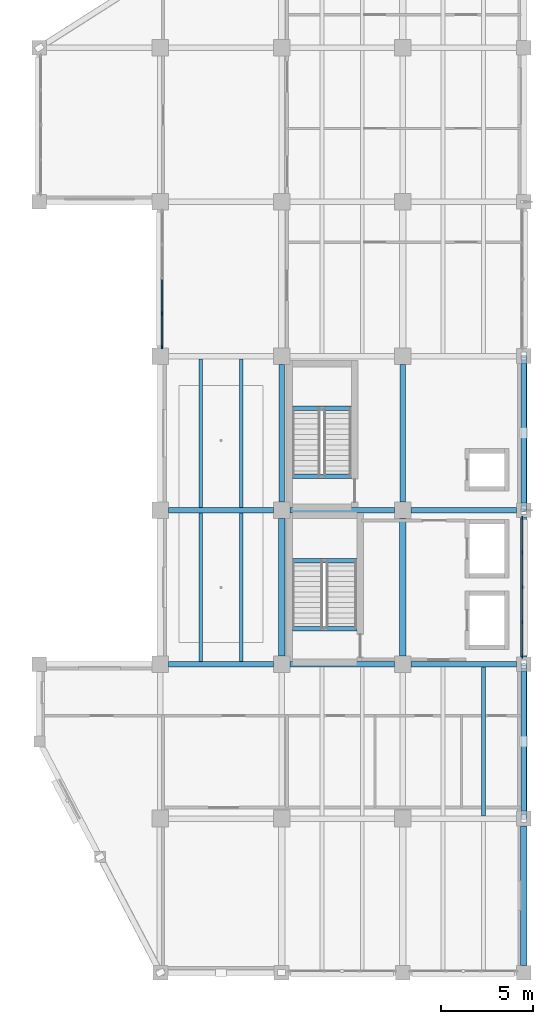
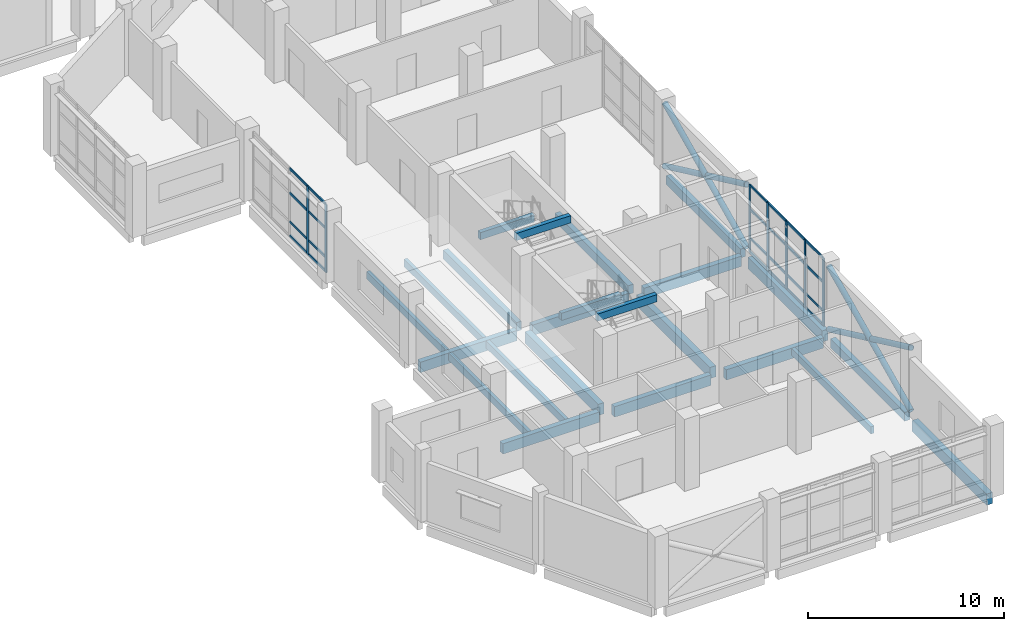
# One storey, part 18 of 76: 37 members, 23 beams, 2 elements without a shape of their own.
"""IFC4 building model written with IfcOpenShell, lengths in metres."""

import ifcopenshell
import ifcopenshell.guid

model = None  # the IFC model being written
_history = None  # IfcOwnerHistory: only IFC2X3 demands one
_inside = {}  # id of a spatial element -> (the spatial element, [elements in it])
_under = {}  # id of a project, library or spatial element -> (it, [spatial elements below it])
_declared = {}  # id of a project -> (the project, [libraries it declares])
_typed = {}  # id of a type object -> (the type object, [elements of that type])
_made_of = {}  # id of a material, layer set ... -> (it, [elements and type objects made of it])


def new_model(schema):
    """Start an empty IFC model of exactly this schema.

    Asked for "IFC4X3", IfcOpenShell would pick the latest addendum, in which some entities
    have other attributes; the version numbers below select the first issue.
    IFC2X3 requires an IfcOwnerHistory on every rooted entity: one is made here for all.
    """
    global model, _history
    if schema == "IFC4X3":
        model = ifcopenshell.file(schema_version=(4, 3, 0, 0))
    else:
        model = ifcopenshell.file(schema=schema)
    _inside.clear()
    _under.clear()
    _declared.clear()
    _typed.clear()
    _made_of.clear()
    _history = None
    if model.schema == "IFC2X3":
        org = make("IfcOrganization", Name="unknown")
        user = make(
            "IfcPersonAndOrganization",
            ThePerson=make("IfcPerson", FamilyName="unknown"),
            TheOrganization=org,
        )
        app = make(
            "IfcApplication",
            ApplicationDeveloper=org,
            Version="unknown",
            ApplicationFullName="unknown",
            ApplicationIdentifier="unknown",
        )
        _history = make(
            "IfcOwnerHistory",
            OwningUser=user,
            OwningApplication=app,
            ChangeAction="ADDED",
            CreationDate=0,
        )
    return model


def make(cls, **values):
    """One entity of the class cls with the attributes given. An attribute that is None is left unset."""
    return model.create_entity(
        cls, **{name: value for name, value in values.items() if value is not None}
    )


def rooted(cls, **values):
    """An entity with a GlobalId (a new one), such as an element, a storey or a relation."""
    return make(cls, GlobalId=ifcopenshell.guid.new(), OwnerHistory=_history, **values)


def si_unit(unit_type, name, prefix=None):
    """IfcSIUnit, for example si_unit("LENGTHUNIT", "METRE", prefix="MILLI")."""
    return make("IfcSIUnit", UnitType=unit_type, Prefix=prefix, Name=name)


def assignment(units):
    """IfcUnitAssignment: the units of a project."""
    return None if units is None else make("IfcUnitAssignment", Units=units)


def point(xyz):
    """IfcCartesianPoint."""
    return None if xyz is None else make("IfcCartesianPoint", Coordinates=xyz)


def direction(xyz):
    """IfcDirection."""
    return None if xyz is None else make("IfcDirection", DirectionRatios=xyz)


def frame(location, z_axis=None, x_axis=None):
    """IfcAxis2Placement3D, a coordinate frame: its origin and axes. An axis left out is left unset."""
    return make(
        "IfcAxis2Placement3D",
        Location=point(location),
        Axis=direction(z_axis),
        RefDirection=direction(x_axis),
    )


def frame_2d(location, x_axis=None):
    """IfcAxis2Placement2D, a coordinate frame in the plane: its origin and x axis."""
    return make(
        "IfcAxis2Placement2D", Location=point(location), RefDirection=direction(x_axis)
    )


def origin():
    """The frame at (0, 0, 0) with its axes left unset."""
    return frame((0.0, 0.0, 0.0))


def origin_2d():
    """The frame at (0, 0) in the plane with its x axis left unset."""
    return frame_2d((0.0, 0.0))


def place(relative_to, where):
    """IfcLocalPlacement: puts the frame where relative to a parent placement (None: the world)."""
    return make(
        "IfcLocalPlacement", PlacementRelTo=relative_to, RelativePlacement=where
    )


def context(
    kind, dimensions, precision=None, world=None, true_north=None, identifier=None
):
    """IfcGeometricRepresentationContext, for example the 3D "Model" context."""
    return make(
        "IfcGeometricRepresentationContext",
        ContextIdentifier=identifier,
        ContextType=kind,
        CoordinateSpaceDimension=dimensions,
        Precision=precision,
        WorldCoordinateSystem=world,
        TrueNorth=true_north,
    )


def subcontext(parent, identifier, kind, view, scale=None):
    """IfcGeometricRepresentationSubContext, for example "Body" below "Model"."""
    return make(
        "IfcGeometricRepresentationSubContext",
        ContextIdentifier=identifier,
        ContextType=kind,
        ParentContext=parent,
        TargetScale=scale,
        TargetView=view,
    )


def project(units=None, contexts=None):
    """IfcProject with its units and contexts."""
    return rooted(
        "IfcProject",
        Name="project",
        RepresentationContexts=contexts,
        UnitsInContext=assignment(units),
    )


def spatial(cls, under=None, at=None, **own):
    """A site, building, storey or space (cls), placed at a placement, below another one or the project."""
    s = rooted(cls, ObjectPlacement=at, **own)
    if under is not None:
        _under.setdefault(under.id(), (under, []))[1].append(s)
    return s


def profile(cls, at=None, kind="AREA", **sizes):
    """A parametric profile (cls). Its sizes go by their IFC names, for example OverallWidth=200.0."""
    return make(cls, ProfileType=kind, Position=at, **sizes)


def rectangle(**sizes):
    """IfcRectangleProfileDef."""
    return profile("IfcRectangleProfileDef", **sizes)


def hollow_circle(**sizes):
    """IfcCircleHollowProfileDef."""
    return profile("IfcCircleHollowProfileDef", **sizes)


def extrude(swept, where, along, depth):
    """IfcExtrudedAreaSolid: the profile swept, set in the frame where, extruded along a direction by depth."""
    return make(
        "IfcExtrudedAreaSolid",
        SweptArea=swept,
        Position=where,
        ExtrudedDirection=direction(along),
        Depth=depth,
    )


def shape(context_of_items, identifier, shape_type, items):
    """IfcShapeRepresentation: the items that make up one representation, for example the "Body"."""
    return make(
        "IfcShapeRepresentation",
        ContextOfItems=context_of_items,
        RepresentationIdentifier=identifier,
        RepresentationType=shape_type,
        Items=items,
    )


def material(Name=None, Category=None):
    """IfcMaterial."""
    return make("IfcMaterial", Name=Name, Category=Category)


def material_profile(
    of_material, cross_section, Name=None, Category=None, Priority=None
):
    """IfcMaterialProfile: a cross section and its material."""
    return make(
        "IfcMaterialProfile",
        Name=Name,
        Material=of_material,
        Profile=cross_section,
        Priority=Priority,
        Category=Category,
    )


def profile_set(profiles, Name=None, composite=None):
    """IfcMaterialProfileSet."""
    return make(
        "IfcMaterialProfileSet",
        Name=Name,
        MaterialProfiles=profiles,
        CompositeProfile=composite,
    )


def made_of(thing, what):
    """Note that an element or type object is made of a material, layer set ...; save() writes the relation."""
    if what is not None:
        _made_of.setdefault(what.id(), (what, []))[1].append(thing)
    return thing


def type_object(cls, material=None, **own):
    """A type object (cls), such as IfcWallType, which elements share."""
    return made_of(rooted(cls, **own), material)


def element(
    cls,
    number,
    at=None,
    inside=None,
    cuts=None,
    type_object=None,
    material=None,
    context=None,
    identifier="Body",
    shape_type=None,
    held_by="IfcProductDefinitionShape",
    body=None,
    shapes=None,
    **own,
):
    """One element of the class cls, such as IfcWall. Its Tag is "e" and its number.

    at: its placement. inside: the storey or other place that contains it. cuts: it is an
    opening in that element (IfcRelVoidsElement). A single representation is given by context,
    identifier, shape_type and body (its items); several are given by shapes. held_by: the class
    of the entity that holds the representations. save() writes the other relations.
    """
    e = rooted(cls, Tag="e%d" % number, ObjectPlacement=at, **own)
    if body is not None:
        shapes = [shape(context, identifier, shape_type, body)]
    if shapes is not None:
        e.Representation = make(held_by, Representations=shapes)
    if inside is not None:
        _inside.setdefault(inside.id(), (inside, []))[1].append(e)
    if cuts is not None:
        rooted(
            "IfcRelVoidsElement", RelatingBuildingElement=cuts, RelatedOpeningElement=e
        )
    if type_object is not None:
        _typed.setdefault(type_object.id(), (type_object, []))[1].append(e)
    return made_of(e, material)


def aggregate(whole, parts):
    """IfcRelAggregates: a whole, such as a stair, and the parts it consists of."""
    return rooted("IfcRelAggregates", RelatingObject=whole, RelatedObjects=parts)


def save(model, path):
    """Write the relations noted so far, then the file.

    IfcRelAggregates (storeys below a building ...), IfcRelContainedInSpatialStructure (elements
    in a storey), IfcRelDefinesByType, IfcRelAssociatesMaterial and IfcRelDeclares: one each for
    every whole, place, type object, material and project.
    """
    for whole, parts in _under.values():
        aggregate(whole, parts)
    for where, things in _inside.values():
        rooted(
            "IfcRelContainedInSpatialStructure",
            RelatedElements=things,
            RelatingStructure=where,
        )
    for kind, things in _typed.values():
        rooted("IfcRelDefinesByType", RelatedObjects=things, RelatingType=kind)
    for what, things in _made_of.values():
        rooted("IfcRelAssociatesMaterial", RelatedObjects=things, RelatingMaterial=what)
    for by, libraries in _declared.values():
        rooted("IfcRelDeclares", RelatingContext=by, RelatedDefinitions=libraries)
    model.write(path)


model = new_model("IFC4")

# Units and contexts
model_context = context("Model", 3, precision=1e-05, world=origin(), true_north=direction((0.0, 1.0)))
body_context = subcontext(model_context, "Body", "Model", "MODEL_VIEW")
ifc_project = project(units=[si_unit("LENGTHUNIT", "METRE"), si_unit("AREAUNIT", "SQUARE_METRE"), si_unit("VOLUMEUNIT", "CUBIC_METRE"), si_unit("PLANEANGLEUNIT", "RADIAN"), si_unit("MASSUNIT", "GRAM", prefix="KILO")], contexts=[model_context])

# Site, building, storey
site_placement = place(None, origin())
site = spatial("IfcSite", under=ifc_project, at=site_placement, CompositionType="ELEMENT")
building_placement = place(site_placement, origin())
building = spatial("IfcBuilding", under=site, at=building_placement, Name="Qaldarim Faculty of Natural and Applied Sciences", CompositionType="ELEMENT")
storey_placement = place(building_placement, frame((0.0, 0.0, 9.89990234375)))
storey = spatial("IfcBuildingStorey", under=building, at=storey_placement, Name="L02", CompositionType="ELEMENT", Elevation=9.89990234375)

# Beams
ifc_material_1 = material(Name="Concrete C40/50", Category="concrete")
ifc_material_profile_1 = material_profile(ifc_material_1, rectangle(XDim=0.300048828125, YDim=0.550048828125, at=origin_2d()), Name="RC-B300x550")
ifc_profile_set_1 = profile_set([ifc_material_profile_1], Name="Concrete C40/50")
beam_type_1 = type_object("IfcBeamType", Name="FloorBeam-RC300x550", PredefinedType="BEAM", material=ifc_profile_set_1)
for number, where, z_axis, x_axis, name in (
    (1, (165.0, 25.64990234375, -0.574951171875), (0.0, 1.0, 0.0), (-1.0, 0.0, 0.0), "Beam RC-B300x550 L01 X26/Y04-Y05"),
    (2, (171.60009765625, 25.64990234375, -0.574951171875), (0.0, 1.0, 0.0), (-1.0, 0.0, 0.0), "Beam RC-B300x550 L01 X27/Y04-Y05"),
):
    element("IfcBeam", number, at=place(storey_placement, frame(where, z_axis=z_axis, x_axis=x_axis)), inside=storey, type_object=beam_type_1, Name=name, PredefinedType="BEAM", context=body_context, shape_type="SweptSolid", body=[
        extrude(rectangle(XDim=0.300048828125, YDim=0.550048828125, at=origin_2d()), origin(), (0.0, 0.0, 1.0), 7.5),
    ])
for number, where, z_axis, x_axis, name in (
    (3, (178.199951171875, 8.800048828125, -0.574951171875), (0.0, 1.0, 0.0), (-1.0, 0.0, 0.0), "Beam RC-B300x550 L01 X28/Y02-Y03"),
    (4, (178.199951171875, 25.60009765625, -0.574951171875), (0.0, 1.0, 0.0), (-1.0, 0.0, 0.0), "Beam RC-B300x550 L01 X28/Y04-Y05"),
):
    element("IfcBeam", number, at=place(storey_placement, frame(where, z_axis=z_axis, x_axis=x_axis)), inside=storey, type_object=beam_type_1, Name=name, PredefinedType="BEAM", context=body_context, shape_type="SweptSolid", body=[
        extrude(rectangle(XDim=0.300048828125, YDim=0.550048828125, at=origin_2d()), origin(), (0.0, 0.0, 1.0), 7.599853515625),
    ])
ifc_material_profile_2 = material_profile(ifc_material_1, rectangle(XDim=0.199951171875, YDim=0.449951171875, at=origin_2d()), Name="RC-J200x450")
ifc_profile_set_2 = profile_set([ifc_material_profile_2], Name="Concrete C40/50")
beam_type_2 = type_object("IfcBeamType", Name="LabJoist-RC200x450", PredefinedType="JOIST", material=ifc_profile_set_2)
for number, where, z_axis, x_axis, name in (
    (5, (160.60009765625, 16.949951171875, -0.52490234375), (0.0, 1.0, 0.0), (-1.0, 0.0, 0.0), "Laboratory joist L01 bay X25Y03-1"),
    (6, (162.800048828125, 16.949951171875, -0.52490234375), (0.0, 1.0, 0.0), (-1.0, 0.0, 0.0), "Laboratory joist L01 bay X25Y03-2"),
):
    element("IfcBeam", number, at=place(storey_placement, frame(where, z_axis=z_axis, x_axis=x_axis)), inside=storey, type_object=beam_type_2, Name=name, PredefinedType="JOIST", context=body_context, shape_type="SweptSolid", body=[
        extrude(rectangle(XDim=0.199951171875, YDim=0.449951171875, at=origin_2d()), origin(), (0.0, 0.0, 1.0), 8.10009765625),
    ])
for number, where, z_axis, x_axis, name in (
    (7, (160.60009765625, 25.35009765625, -0.52490234375), (0.0, 1.0, 0.0), (-1.0, 0.0, 0.0), "Laboratory joist L01 bay X25Y04-1"),
    (8, (162.800048828125, 25.35009765625, -0.52490234375), (0.0, 1.0, 0.0), (-1.0, 0.0, 0.0), "Laboratory joist L01 bay X25Y04-2"),
    (9, (176.0, 8.550048828125, -0.52490234375), (0.0, 1.0, 0.0), (-1.0, 0.0, 0.0), "Laboratory joist L01 bay X27Y02-2"),
):
    element("IfcBeam", number, at=place(storey_placement, frame(where, z_axis=z_axis, x_axis=x_axis)), inside=storey, type_object=beam_type_2, Name=name, PredefinedType="JOIST", context=body_context, shape_type="SweptSolid", body=[
        extrude(rectangle(XDim=0.199951171875, YDim=0.449951171875, at=origin_2d()), origin(), (0.0, 0.0, 1.0), 8.099853515625),
    ])
ifc_material_profile_3 = material_profile(ifc_material_1, rectangle(XDim=0.25, YDim=0.449951171875, at=origin_2d()), Name="RC-LN250x450")
ifc_profile_set_3 = profile_set([ifc_material_profile_3], Name="Concrete C40/50")
beam_type_3 = type_object("IfcBeamType", Name="LandingSupportBeam-RC250x450", PredefinedType="BEAM", material=ifc_profile_set_3)
for number, where, z_axis, x_axis, name in (
    (10, (165.60009765625, 22.455078125, 1.815185546875), (1.0, 0.0, 0.0), (0.0, 1.0, 0.0), "Stair landing support beam ST-A1 L02"),
    (11, (165.60009765625, 18.75, 4.01513671875), (1.0, 0.0, 0.0), (0.0, 1.0, 0.0), "Stair arrival support beam ST-A1 L02"),
):
    element("IfcBeam", number, at=place(storey_placement, frame(where, z_axis=z_axis, x_axis=x_axis)), inside=storey, type_object=beam_type_3, Name=name, PredefinedType="BEAM", context=body_context, shape_type="SweptSolid", body=[
        extrude(rectangle(XDim=0.25, YDim=0.449951171875, at=origin_2d()), origin(), (0.0, 0.0, 1.0), 3.5),
    ])
for number, where, z_axis, x_axis, name in (
    (12, (165.60009765625, 30.7548828125, 1.815185546875), (1.0, 0.0, 0.0), (0.0, 1.0, 0.0), "Stair landing support beam ST-A2 L02"),
    (13, (165.60009765625, 27.050048828125, 4.01513671875), (1.0, 0.0, 0.0), (0.0, 1.0, 0.0), "Stair arrival support beam ST-A2 L02"),
):
    element("IfcBeam", number, at=place(storey_placement, frame(where, z_axis=z_axis, x_axis=x_axis)), inside=storey, type_object=beam_type_3, Name=name, PredefinedType="BEAM", context=body_context, shape_type="SweptSolid", body=[
        extrude(rectangle(XDim=0.25, YDim=0.449951171875, at=origin_2d()), origin(), (0.0, 0.0, 1.0), 3.199951171875),
    ])

# Members
ifc_material_2 = material(Name="Structural steel S355", Category="steel")
ifc_material_profile_4 = material_profile(ifc_material_2, hollow_circle(Radius=0.161865234375, WallThickness=0.02001953125, at=origin_2d()), Name="CHS 323.9x20.0")
ifc_profile_set_4 = profile_set([ifc_material_profile_4], Name="Structural steel S355")
member_type_1 = type_object("IfcMemberType", Name="LowerWingBrace-CHS323-9x20", PredefinedType="BRACE", material=ifc_profile_set_4)
member_1_placement = place(storey_placement, frame((178.199951171875, 8.39990234375, 0.0), z_axis=(0.0, 0.905350515517, 0.424665096345), x_axis=(-1.0, 0.0, 0.0)))
element("IfcMember", 14, at=member_1_placement, inside=storey, type_object=member_type_1, Name="East diagrid L02 primary brace L", PredefinedType="BRACE", context=body_context, shape_type="SweptSolid", body=[
    extrude(hollow_circle(Radius=0.161865234375, WallThickness=0.02001953125, at=origin_2d()), origin(), (0.0, 0.0, 1.0), 9.2783203125),
])
for number, where, z_axis, x_axis, name in (
    (15, (178.199951171875, 16.800048828125, 0.0), (0.0, -0.905458935959, 0.424433876231), (1.0, 0.0, 0.0), "East diagrid L02 split secondary lower brace R1"),
    (16, (178.199951171875, 12.39990234375, 2.065185546875), (0.0, -0.905458935959, 0.424433876231), (1.0, 0.0, 0.0), "East diagrid L02 split secondary upper brace R2"),
):
    element("IfcMember", number, at=place(storey_placement, frame(where, z_axis=z_axis, x_axis=x_axis)), inside=storey, type_object=member_type_1, Name=name, PredefinedType="BRACE", context=body_context, shape_type="SweptSolid", body=[
        extrude(hollow_circle(Radius=0.161865234375, WallThickness=0.02001953125, at=origin_2d()), origin(), (0.0, 0.0, 1.0), 4.417724609375),
    ])
member_2_placement = place(storey_placement, frame((178.199951171875, 25.199951171875, 0.0), z_axis=(0.0, 0.905350515517, 0.424665096345), x_axis=(-1.0, 0.0, 0.0)))
element("IfcMember", 17, at=member_2_placement, inside=storey, type_object=member_type_1, Name="Upper east diagrid L02 primary brace L", PredefinedType="BRACE", context=body_context, shape_type="SweptSolid", body=[
    extrude(hollow_circle(Radius=0.161865234375, WallThickness=0.02001953125, at=origin_2d()), origin(), (0.0, 0.0, 1.0), 9.2783203125),
])
for number, where, z_axis, x_axis, name in (
    (18, (178.199951171875, 33.60009765625, 0.0), (0.0, -0.905458935959, 0.424433876231), (1.0, 0.0, 0.0), "Upper east diagrid L02 split secondary lower brace R1"),
    (19, (178.199951171875, 29.199951171875, 2.065185546875), (0.0, -0.905458935959, 0.424433876231), (1.0, 0.0, 0.0), "Upper east diagrid L02 split secondary upper brace R2"),
):
    element("IfcMember", number, at=place(storey_placement, frame(where, z_axis=z_axis, x_axis=x_axis)), inside=storey, type_object=member_type_1, Name=name, PredefinedType="BRACE", context=body_context, shape_type="SweptSolid", body=[
        extrude(hollow_circle(Radius=0.161865234375, WallThickness=0.02001953125, at=origin_2d()), origin(), (0.0, 0.0, 1.0), 4.417724609375),
    ])

# Curtain wall, members
ifc_material_3 = material(Name="Anodised aluminium AW-6063", Category="aluminium")
curtain_wall_type = type_object("IfcCurtainWallType", Name="CurtainWallSystem-M1700", PredefinedType="USERDEFINED", material=ifc_material_3)
curtain_wall_1_placement = place(storey_placement, origin())
curtain_wall_1 = element("IfcCurtainWall", 20, at=curtain_wall_1_placement, inside=storey, type_object=curtain_wall_type, Name="Curtain wall CW-L02-W-X25Y05", ObjectType="UNITISED FACADE", PredefinedType="USERDEFINED")
ifc_material_profile_5 = material_profile(ifc_material_3, rectangle(XDim=0.070068359375, YDim=0.179931640625, at=origin_2d()), Name="ALU-M70x180")
ifc_profile_set_5 = profile_set([ifc_material_profile_5], Name="Anodised aluminium AW-6063")
member_type_2 = type_object("IfcMemberType", Name="Mullion-ALU70x180", PredefinedType="MULLION", material=ifc_profile_set_5)
member_3_placement = place(storey_placement, frame((158.47998046875, 35.922607421875, 0.0), z_axis=(0.0, 0.0, 1.0), x_axis=(1.0, 0.0, 0.0)))
member_3 = element("IfcMember", 21, at=member_3_placement, type_object=member_type_2, Name="Mullion 4 of CW-L02-W-X25Y05", PredefinedType="MULLION", context=body_context, shape_type="SweptSolid", body=[
    extrude(rectangle(XDim=0.070068359375, YDim=0.179931640625, at=origin_2d()), origin(), (0.0, 0.0, 1.0), 4.239990234375),
])
member_4_placement = place(storey_placement, frame((158.47998046875, 34.080078125, 0.0), z_axis=(0.0, 0.0, 1.0), x_axis=(1.0, 0.0, 0.0)))
member_4 = element("IfcMember", 22, at=member_4_placement, type_object=member_type_2, Name="Mullion 5 of CW-L02-W-X25Y05", PredefinedType="MULLION", context=body_context, shape_type="SweptSolid", body=[
    extrude(rectangle(XDim=0.070068359375, YDim=0.179931640625, at=origin_2d()), origin(), (0.0, 0.0, 1.0), 4.239990234375),
])

curtain_wall_2_placement = place(storey_placement, origin())
curtain_wall_2 = element("IfcCurtainWall", 23, at=curtain_wall_2_placement, inside=storey, type_object=curtain_wall_type, Name="Curtain wall CW-L02-E-X27Y03", ObjectType="UNITISED FACADE", PredefinedType="USERDEFINED")
member_5_placement = place(storey_placement, frame((178.1201171875, 17.22998046875, 0.0), z_axis=(0.0, 0.0, 1.0), x_axis=(-1.0, 0.0, 0.0)))
member_5 = element("IfcMember", 24, at=member_5_placement, type_object=member_type_2, Name="Mullion 1 of CW-L02-E-X27Y03", PredefinedType="MULLION", context=body_context, shape_type="SweptSolid", body=[
    extrude(rectangle(XDim=0.070068359375, YDim=0.179931640625, at=origin_2d()), origin(), (0.0, 0.0, 1.0), 4.239990234375),
])
member_6_placement = place(storey_placement, frame((178.1201171875, 19.097412109375, 0.0), z_axis=(0.0, 0.0, 1.0), x_axis=(-1.0, 0.0, 0.0)))
member_6 = element("IfcMember", 25, at=member_6_placement, type_object=member_type_2, Name="Mullion 2 of CW-L02-E-X27Y03", PredefinedType="MULLION", context=body_context, shape_type="SweptSolid", body=[
    extrude(rectangle(XDim=0.070068359375, YDim=0.179931640625, at=origin_2d()), origin(), (0.0, 0.0, 1.0), 4.239990234375),
])
member_7_placement = place(storey_placement, frame((178.1201171875, 21.0, 0.0), z_axis=(0.0, 0.0, 1.0), x_axis=(-1.0, 0.0, 0.0)))
member_7 = element("IfcMember", 26, at=member_7_placement, type_object=member_type_2, Name="Mullion 3 of CW-L02-E-X27Y03", PredefinedType="MULLION", context=body_context, shape_type="SweptSolid", body=[
    extrude(rectangle(XDim=0.070068359375, YDim=0.179931640625, at=origin_2d()), origin(), (0.0, 0.0, 1.0), 4.239990234375),
])
member_8_placement = place(storey_placement, frame((178.1201171875, 22.902587890625, 0.0), z_axis=(0.0, 0.0, 1.0), x_axis=(-1.0, 0.0, 0.0)))
member_8 = element("IfcMember", 27, at=member_8_placement, type_object=member_type_2, Name="Mullion 4 of CW-L02-E-X27Y03", PredefinedType="MULLION", context=body_context, shape_type="SweptSolid", body=[
    extrude(rectangle(XDim=0.070068359375, YDim=0.179931640625, at=origin_2d()), origin(), (0.0, 0.0, 1.0), 4.239990234375),
])
member_9_placement = place(storey_placement, frame((178.1201171875, 24.77001953125, 0.0), z_axis=(0.0, 0.0, 1.0), x_axis=(-1.0, 0.0, 0.0)))
member_9 = element("IfcMember", 28, at=member_9_placement, type_object=member_type_2, Name="Mullion 5 of CW-L02-E-X27Y03", PredefinedType="MULLION", context=body_context, shape_type="SweptSolid", body=[
    extrude(rectangle(XDim=0.070068359375, YDim=0.179931640625, at=origin_2d()), origin(), (0.0, 0.0, 1.0), 4.239990234375),
])

# Beams
ifc_material_profile_6 = material_profile(ifc_material_1, rectangle(XDim=0.300048828125, YDim=0.64990234375, at=origin_2d()), Name="RC-B300x650")
ifc_profile_set_6 = profile_set([ifc_material_profile_6], Name="Concrete C40/50")
beam_type_4 = type_object("IfcBeamType", Name="PrimaryBeam-RC300x650", PredefinedType="BEAM", material=ifc_profile_set_6)
for number, where, z_axis, x_axis, name in (
    (29, (158.85009765625, 16.800048828125, -0.625), (1.0, 0.0, 0.0), (0.0, 1.0, 0.0), "Beam RC-B300x650 L01 X25-X26/Y03"),
    (30, (165.449951171875, 16.800048828125, -0.625), (1.0, 0.0, 0.0), (0.0, 1.0, 0.0), "Beam RC-B300x650 L01 X26-X27/Y03"),
):
    element("IfcBeam", number, at=place(storey_placement, frame(where, z_axis=z_axis, x_axis=x_axis)), inside=storey, type_object=beam_type_4, Name=name, PredefinedType="BEAM", context=body_context, shape_type="SweptSolid", body=[
        extrude(rectangle(XDim=0.300048828125, YDim=0.64990234375, at=origin_2d()), origin(), (0.0, 0.0, 1.0), 5.699951171875),
    ])
beam_1_placement = place(storey_placement, frame((172.050048828125, 16.800048828125, -0.625), z_axis=(1.0, 0.0, 0.0), x_axis=(0.0, 1.0, 0.0)))
element("IfcBeam", 31, at=beam_1_placement, inside=storey, type_object=beam_type_4, Name="Beam RC-B300x650 L01 X27-X28/Y03", PredefinedType="BEAM", context=body_context, shape_type="SweptSolid", body=[
    extrude(rectangle(XDim=0.300048828125, YDim=0.64990234375, at=origin_2d()), origin(), (0.0, 0.0, 1.0), 5.75),
])
for number, where, z_axis, x_axis, name in (
    (32, (158.85009765625, 25.199951171875, -0.625), (1.0, 0.0, 0.0), (0.0, 1.0, 0.0), "Beam RC-B300x650 L01 X25-X26/Y04"),
    (33, (165.449951171875, 25.199951171875, -0.625), (1.0, 0.0, 0.0), (0.0, 1.0, 0.0), "Beam RC-B300x650 L01 X26-X27/Y04"),
):
    element("IfcBeam", number, at=place(storey_placement, frame(where, z_axis=z_axis, x_axis=x_axis)), inside=storey, type_object=beam_type_4, Name=name, PredefinedType="BEAM", context=body_context, shape_type="SweptSolid", body=[
        extrude(rectangle(XDim=0.300048828125, YDim=0.64990234375, at=origin_2d()), origin(), (0.0, 0.0, 1.0), 5.699951171875),
    ])
beam_2_placement = place(storey_placement, frame((172.050048828125, 25.199951171875, -0.625), z_axis=(1.0, 0.0, 0.0), x_axis=(0.0, 1.0, 0.0)))
element("IfcBeam", 34, at=beam_2_placement, inside=storey, type_object=beam_type_4, Name="Beam RC-B300x650 L01 X27-X28/Y04", PredefinedType="BEAM", context=body_context, shape_type="SweptSolid", body=[
    extrude(rectangle(XDim=0.300048828125, YDim=0.64990234375, at=origin_2d()), origin(), (0.0, 0.0, 1.0), 5.75),
])
ifc_material_profile_7 = material_profile(ifc_material_1, rectangle(XDim=0.35009765625, YDim=0.699951171875, at=origin_2d()), Name="RC-B350x700")
ifc_profile_set_7 = profile_set([ifc_material_profile_7], Name="Concrete C40/50")
beam_type_5 = type_object("IfcBeamType", Name="PrimaryGirder-RC350x700", PredefinedType="BEAM", material=ifc_profile_set_7)
for number, where, z_axis, x_axis, name in (
    (35, (165.0, 17.25, -0.64990234375), (0.0, 1.0, 0.0), (-1.0, 0.0, 0.0), "Beam RC-B350x700 L01 X26/Y03-Y04"),
    (36, (171.60009765625, 17.25, -0.64990234375), (0.0, 1.0, 0.0), (-1.0, 0.0, 0.0), "Beam RC-B350x700 L01 X27/Y03-Y04"),
):
    element("IfcBeam", number, at=place(storey_placement, frame(where, z_axis=z_axis, x_axis=x_axis)), inside=storey, type_object=beam_type_5, Name=name, PredefinedType="BEAM", context=body_context, shape_type="SweptSolid", body=[
        extrude(rectangle(XDim=0.35009765625, YDim=0.699951171875, at=origin_2d()), origin(), (0.0, 0.0, 1.0), 7.5),
    ])
for number, where, z_axis, x_axis, name in (
    (37, (178.199951171875, 0.39990234375, -0.64990234375), (0.0, 1.0, 0.0), (-1.0, 0.0, 0.0), "Beam RC-B350x700 L01 X28/Y01-Y02"),
    (38, (178.199951171875, 17.199951171875, -0.64990234375), (0.0, 1.0, 0.0), (-1.0, 0.0, 0.0), "Beam RC-B350x700 L01 X28/Y03-Y04"),
):
    element("IfcBeam", number, at=place(storey_placement, frame(where, z_axis=z_axis, x_axis=x_axis)), inside=storey, type_object=beam_type_5, Name=name, PredefinedType="BEAM", context=body_context, shape_type="SweptSolid", body=[
        extrude(rectangle(XDim=0.35009765625, YDim=0.699951171875, at=origin_2d()), origin(), (0.0, 0.0, 1.0), 7.60009765625),
    ])

# Member
ifc_material_profile_8 = material_profile(ifc_material_3, rectangle(XDim=0.070068359375, YDim=0.139892578125, at=origin_2d()), Name="ALU-T70x140")
ifc_profile_set_8 = profile_set([ifc_material_profile_8], Name="Anodised aluminium AW-6063")
member_type_3 = type_object("IfcMemberType", Name="Transom-ALU70x140", PredefinedType="USERDEFINED", material=ifc_profile_set_8)
member_10_placement = place(storey_placement, frame((158.47998046875, 37.764892578125, 0.03515625), z_axis=(0.0, -1.0, 0.0), x_axis=(1.0, 0.0, 0.0)))
member_10 = element("IfcMember", 39, at=member_10_placement, type_object=member_type_3, Name="Transom 3-1 of CW-L02-W-X25Y05", ObjectType="TRANSOM", PredefinedType="USERDEFINED", context=body_context, shape_type="SweptSolid", body=[
    extrude(rectangle(XDim=0.070068359375, YDim=0.139892578125, at=origin_2d()), origin(), (0.0, 0.0, 1.0), 1.807373046875),
])

member_11_placement = place(storey_placement, frame((158.47998046875, 37.764892578125, 0.900146484375), z_axis=(0.0, -1.0, 0.0), x_axis=(1.0, 0.0, 0.0)))
member_11 = element("IfcMember", 40, at=member_11_placement, type_object=member_type_3, Name="Transom 3-2 of CW-L02-W-X25Y05", ObjectType="TRANSOM", PredefinedType="USERDEFINED", context=body_context, shape_type="SweptSolid", body=[
    extrude(rectangle(XDim=0.070068359375, YDim=0.139892578125, at=origin_2d()), origin(), (0.0, 0.0, 1.0), 1.807373046875),
])

member_12_placement = place(storey_placement, frame((158.47998046875, 37.764892578125, 2.7001953125), z_axis=(0.0, -1.0, 0.0), x_axis=(1.0, 0.0, 0.0)))
member_12 = element("IfcMember", 41, at=member_12_placement, type_object=member_type_3, Name="Transom 3-3 of CW-L02-W-X25Y05", ObjectType="TRANSOM", PredefinedType="USERDEFINED", context=body_context, shape_type="SweptSolid", body=[
    extrude(rectangle(XDim=0.070068359375, YDim=0.139892578125, at=origin_2d()), origin(), (0.0, 0.0, 1.0), 1.807373046875),
])

member_13_placement = place(storey_placement, frame((158.47998046875, 37.764892578125, 4.205078125), z_axis=(0.0, -1.0, 0.0), x_axis=(1.0, 0.0, 0.0)))
member_13 = element("IfcMember", 42, at=member_13_placement, type_object=member_type_3, Name="Transom 3-4 of CW-L02-W-X25Y05", ObjectType="TRANSOM", PredefinedType="USERDEFINED", context=body_context, shape_type="SweptSolid", body=[
    extrude(rectangle(XDim=0.070068359375, YDim=0.139892578125, at=origin_2d()), origin(), (0.0, 0.0, 1.0), 1.807373046875),
])

member_14_placement = place(storey_placement, frame((158.47998046875, 35.887451171875, 0.03515625), z_axis=(0.0, -1.0, 0.0), x_axis=(1.0, 0.0, 0.0)))
member_14 = element("IfcMember", 43, at=member_14_placement, type_object=member_type_3, Name="Transom 4-1 of CW-L02-W-X25Y05", ObjectType="TRANSOM", PredefinedType="USERDEFINED", context=body_context, shape_type="SweptSolid", body=[
    extrude(rectangle(XDim=0.070068359375, YDim=0.139892578125, at=origin_2d()), origin(), (0.0, 0.0, 1.0), 1.7724609375),
])

member_15_placement = place(storey_placement, frame((158.47998046875, 35.887451171875, 0.900146484375), z_axis=(0.0, -1.0, 0.0), x_axis=(1.0, 0.0, 0.0)))
member_15 = element("IfcMember", 44, at=member_15_placement, type_object=member_type_3, Name="Transom 4-2 of CW-L02-W-X25Y05", ObjectType="TRANSOM", PredefinedType="USERDEFINED", context=body_context, shape_type="SweptSolid", body=[
    extrude(rectangle(XDim=0.070068359375, YDim=0.139892578125, at=origin_2d()), origin(), (0.0, 0.0, 1.0), 1.7724609375),
])

member_16_placement = place(storey_placement, frame((158.47998046875, 35.887451171875, 2.7001953125), z_axis=(0.0, -1.0, 0.0), x_axis=(1.0, 0.0, 0.0)))
member_16 = element("IfcMember", 45, at=member_16_placement, type_object=member_type_3, Name="Transom 4-3 of CW-L02-W-X25Y05", ObjectType="TRANSOM", PredefinedType="USERDEFINED", context=body_context, shape_type="SweptSolid", body=[
    extrude(rectangle(XDim=0.070068359375, YDim=0.139892578125, at=origin_2d()), origin(), (0.0, 0.0, 1.0), 1.7724609375),
])

member_17_placement = place(storey_placement, frame((158.47998046875, 35.887451171875, 4.205078125), z_axis=(0.0, -1.0, 0.0), x_axis=(1.0, 0.0, 0.0)))
member_17 = element("IfcMember", 46, at=member_17_placement, type_object=member_type_3, Name="Transom 4-4 of CW-L02-W-X25Y05", ObjectType="TRANSOM", PredefinedType="USERDEFINED", context=body_context, shape_type="SweptSolid", body=[
    extrude(rectangle(XDim=0.070068359375, YDim=0.139892578125, at=origin_2d()), origin(), (0.0, 0.0, 1.0), 1.7724609375),
])

aggregate(curtain_wall_1, [member_3, member_4, member_10, member_11, member_12, member_13, member_14, member_15, member_16, member_17])

member_18_placement = place(storey_placement, frame((178.1201171875, 17.264892578125, 0.03515625), z_axis=(0.0, 1.0, 0.0), x_axis=(-1.0, 0.0, 0.0)))
member_18 = element("IfcMember", 47, at=member_18_placement, type_object=member_type_3, Name="Transom 1-1 of CW-L02-E-X27Y03", ObjectType="TRANSOM", PredefinedType="USERDEFINED", context=body_context, shape_type="SweptSolid", body=[
    extrude(rectangle(XDim=0.070068359375, YDim=0.139892578125, at=origin_2d()), origin(), (0.0, 0.0, 1.0), 1.797607421875),
])

member_19_placement = place(storey_placement, frame((178.1201171875, 17.264892578125, 0.900146484375), z_axis=(0.0, 1.0, 0.0), x_axis=(-1.0, 0.0, 0.0)))
member_19 = element("IfcMember", 48, at=member_19_placement, type_object=member_type_3, Name="Transom 1-2 of CW-L02-E-X27Y03", ObjectType="TRANSOM", PredefinedType="USERDEFINED", context=body_context, shape_type="SweptSolid", body=[
    extrude(rectangle(XDim=0.070068359375, YDim=0.139892578125, at=origin_2d()), origin(), (0.0, 0.0, 1.0), 1.797607421875),
])

member_20_placement = place(storey_placement, frame((178.1201171875, 17.264892578125, 2.7001953125), z_axis=(0.0, 1.0, 0.0), x_axis=(-1.0, 0.0, 0.0)))
member_20 = element("IfcMember", 49, at=member_20_placement, type_object=member_type_3, Name="Transom 1-3 of CW-L02-E-X27Y03", ObjectType="TRANSOM", PredefinedType="USERDEFINED", context=body_context, shape_type="SweptSolid", body=[
    extrude(rectangle(XDim=0.070068359375, YDim=0.139892578125, at=origin_2d()), origin(), (0.0, 0.0, 1.0), 1.797607421875),
])

member_21_placement = place(storey_placement, frame((178.1201171875, 17.264892578125, 4.205078125), z_axis=(0.0, 1.0, 0.0), x_axis=(-1.0, 0.0, 0.0)))
member_21 = element("IfcMember", 50, at=member_21_placement, type_object=member_type_3, Name="Transom 1-4 of CW-L02-E-X27Y03", ObjectType="TRANSOM", PredefinedType="USERDEFINED", context=body_context, shape_type="SweptSolid", body=[
    extrude(rectangle(XDim=0.070068359375, YDim=0.139892578125, at=origin_2d()), origin(), (0.0, 0.0, 1.0), 1.797607421875),
])

member_22_placement = place(storey_placement, frame((178.1201171875, 19.132568359375, 0.03515625), z_axis=(0.0, 1.0, 0.0), x_axis=(-1.0, 0.0, 0.0)))
member_22 = element("IfcMember", 51, at=member_22_placement, type_object=member_type_3, Name="Transom 2-1 of CW-L02-E-X27Y03", ObjectType="TRANSOM", PredefinedType="USERDEFINED", context=body_context, shape_type="SweptSolid", body=[
    extrude(rectangle(XDim=0.070068359375, YDim=0.139892578125, at=origin_2d()), origin(), (0.0, 0.0, 1.0), 1.83251953125),
])

member_23_placement = place(storey_placement, frame((178.1201171875, 19.132568359375, 0.900146484375), z_axis=(0.0, 1.0, 0.0), x_axis=(-1.0, 0.0, 0.0)))
member_23 = element("IfcMember", 52, at=member_23_placement, type_object=member_type_3, Name="Transom 2-2 of CW-L02-E-X27Y03", ObjectType="TRANSOM", PredefinedType="USERDEFINED", context=body_context, shape_type="SweptSolid", body=[
    extrude(rectangle(XDim=0.070068359375, YDim=0.139892578125, at=origin_2d()), origin(), (0.0, 0.0, 1.0), 1.83251953125),
])

member_24_placement = place(storey_placement, frame((178.1201171875, 19.132568359375, 2.7001953125), z_axis=(0.0, 1.0, 0.0), x_axis=(-1.0, 0.0, 0.0)))
member_24 = element("IfcMember", 53, at=member_24_placement, type_object=member_type_3, Name="Transom 2-3 of CW-L02-E-X27Y03", ObjectType="TRANSOM", PredefinedType="USERDEFINED", context=body_context, shape_type="SweptSolid", body=[
    extrude(rectangle(XDim=0.070068359375, YDim=0.139892578125, at=origin_2d()), origin(), (0.0, 0.0, 1.0), 1.83251953125),
])

member_25_placement = place(storey_placement, frame((178.1201171875, 19.132568359375, 4.205078125), z_axis=(0.0, 1.0, 0.0), x_axis=(-1.0, 0.0, 0.0)))
member_25 = element("IfcMember", 54, at=member_25_placement, type_object=member_type_3, Name="Transom 2-4 of CW-L02-E-X27Y03", ObjectType="TRANSOM", PredefinedType="USERDEFINED", context=body_context, shape_type="SweptSolid", body=[
    extrude(rectangle(XDim=0.070068359375, YDim=0.139892578125, at=origin_2d()), origin(), (0.0, 0.0, 1.0), 1.83251953125),
])

member_26_placement = place(storey_placement, frame((178.1201171875, 21.034912109375, 0.03515625), z_axis=(0.0, 1.0, 0.0), x_axis=(-1.0, 0.0, 0.0)))
member_26 = element("IfcMember", 55, at=member_26_placement, type_object=member_type_3, Name="Transom 3-1 of CW-L02-E-X27Y03", ObjectType="TRANSOM", PredefinedType="USERDEFINED", context=body_context, shape_type="SweptSolid", body=[
    extrude(rectangle(XDim=0.070068359375, YDim=0.139892578125, at=origin_2d()), origin(), (0.0, 0.0, 1.0), 1.83251953125),
])

member_27_placement = place(storey_placement, frame((178.1201171875, 21.034912109375, 0.900146484375), z_axis=(0.0, 1.0, 0.0), x_axis=(-1.0, 0.0, 0.0)))
member_27 = element("IfcMember", 56, at=member_27_placement, type_object=member_type_3, Name="Transom 3-2 of CW-L02-E-X27Y03", ObjectType="TRANSOM", PredefinedType="USERDEFINED", context=body_context, shape_type="SweptSolid", body=[
    extrude(rectangle(XDim=0.070068359375, YDim=0.139892578125, at=origin_2d()), origin(), (0.0, 0.0, 1.0), 1.83251953125),
])

member_28_placement = place(storey_placement, frame((178.1201171875, 21.034912109375, 2.7001953125), z_axis=(0.0, 1.0, 0.0), x_axis=(-1.0, 0.0, 0.0)))
member_28 = element("IfcMember", 57, at=member_28_placement, type_object=member_type_3, Name="Transom 3-3 of CW-L02-E-X27Y03", ObjectType="TRANSOM", PredefinedType="USERDEFINED", context=body_context, shape_type="SweptSolid", body=[
    extrude(rectangle(XDim=0.070068359375, YDim=0.139892578125, at=origin_2d()), origin(), (0.0, 0.0, 1.0), 1.83251953125),
])

member_29_placement = place(storey_placement, frame((178.1201171875, 21.034912109375, 4.205078125), z_axis=(0.0, 1.0, 0.0), x_axis=(-1.0, 0.0, 0.0)))
member_29 = element("IfcMember", 58, at=member_29_placement, type_object=member_type_3, Name="Transom 3-4 of CW-L02-E-X27Y03", ObjectType="TRANSOM", PredefinedType="USERDEFINED", context=body_context, shape_type="SweptSolid", body=[
    extrude(rectangle(XDim=0.070068359375, YDim=0.139892578125, at=origin_2d()), origin(), (0.0, 0.0, 1.0), 1.83251953125),
])

member_30_placement = place(storey_placement, frame((178.1201171875, 22.9375, 0.03515625), z_axis=(0.0, 1.0, 0.0), x_axis=(-1.0, 0.0, 0.0)))
member_30 = element("IfcMember", 59, at=member_30_placement, type_object=member_type_3, Name="Transom 4-1 of CW-L02-E-X27Y03", ObjectType="TRANSOM", PredefinedType="USERDEFINED", context=body_context, shape_type="SweptSolid", body=[
    extrude(rectangle(XDim=0.070068359375, YDim=0.139892578125, at=origin_2d()), origin(), (0.0, 0.0, 1.0), 1.797607421875),
])

member_31_placement = place(storey_placement, frame((178.1201171875, 22.9375, 0.900146484375), z_axis=(0.0, 1.0, 0.0), x_axis=(-1.0, 0.0, 0.0)))
member_31 = element("IfcMember", 60, at=member_31_placement, type_object=member_type_3, Name="Transom 4-2 of CW-L02-E-X27Y03", ObjectType="TRANSOM", PredefinedType="USERDEFINED", context=body_context, shape_type="SweptSolid", body=[
    extrude(rectangle(XDim=0.070068359375, YDim=0.139892578125, at=origin_2d()), origin(), (0.0, 0.0, 1.0), 1.797607421875),
])

member_32_placement = place(storey_placement, frame((178.1201171875, 22.9375, 2.7001953125), z_axis=(0.0, 1.0, 0.0), x_axis=(-1.0, 0.0, 0.0)))
member_32 = element("IfcMember", 61, at=member_32_placement, type_object=member_type_3, Name="Transom 4-3 of CW-L02-E-X27Y03", ObjectType="TRANSOM", PredefinedType="USERDEFINED", context=body_context, shape_type="SweptSolid", body=[
    extrude(rectangle(XDim=0.070068359375, YDim=0.139892578125, at=origin_2d()), origin(), (0.0, 0.0, 1.0), 1.797607421875),
])

member_33_placement = place(storey_placement, frame((178.1201171875, 22.9375, 4.205078125), z_axis=(0.0, 1.0, 0.0), x_axis=(-1.0, 0.0, 0.0)))
member_33 = element("IfcMember", 62, at=member_33_placement, type_object=member_type_3, Name="Transom 4-4 of CW-L02-E-X27Y03", ObjectType="TRANSOM", PredefinedType="USERDEFINED", context=body_context, shape_type="SweptSolid", body=[
    extrude(rectangle(XDim=0.070068359375, YDim=0.139892578125, at=origin_2d()), origin(), (0.0, 0.0, 1.0), 1.797607421875),
])

aggregate(curtain_wall_2, [member_5, member_6, member_7, member_8, member_9, member_18, member_19, member_20, member_21, member_22, member_23, member_24, member_25, member_26, member_27, member_28, member_29, member_30, member_31, member_32, member_33])

save(model, "model.ifc")
